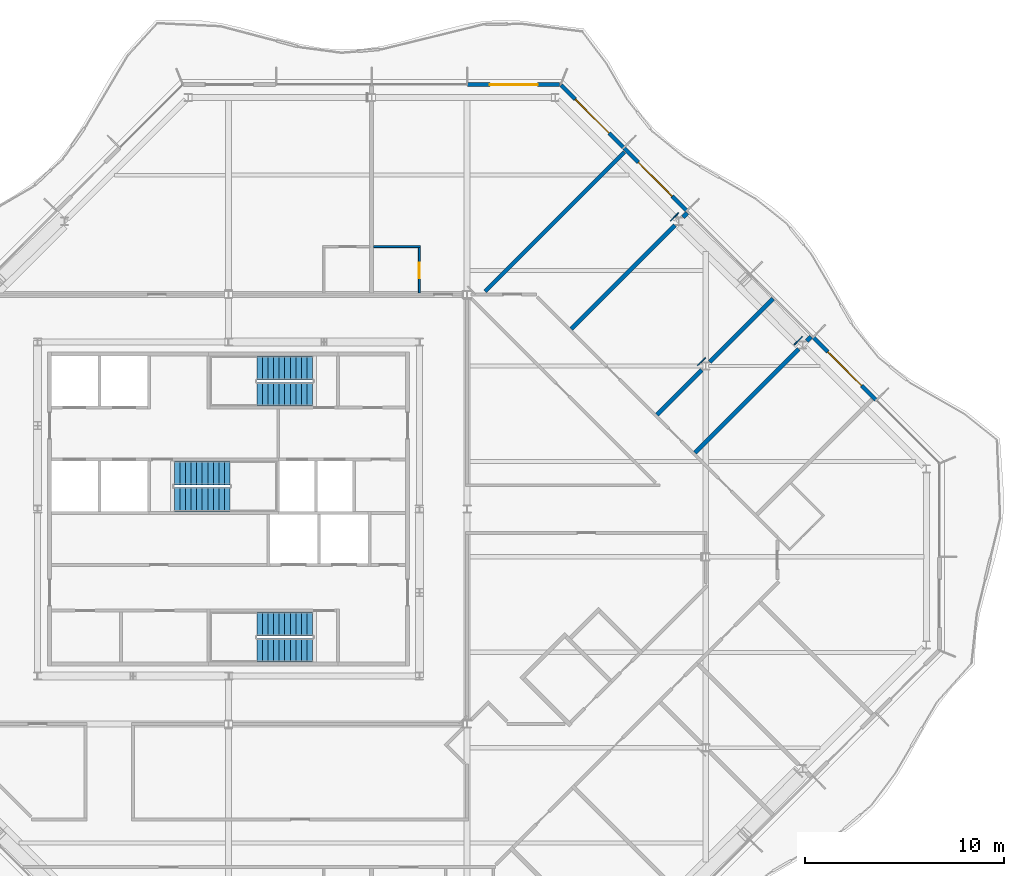
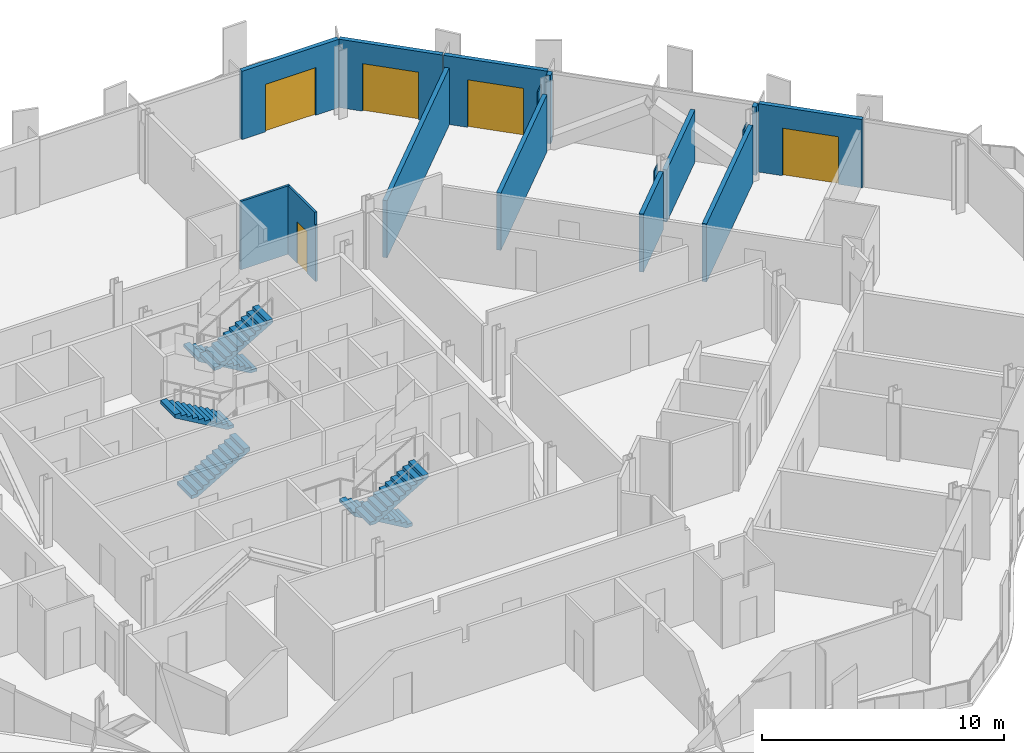
# One storey, part 12 of 17: 16 walls, 6 stair flights, 5 doors, 5 openings, 3 elements without a shape of their own.
"""IFC4 building model written with IfcOpenShell, lengths in metres."""

from ifc_helpers import new_model, si_unit, direction, frame, frame_2d, origin, place, context, subcontext, project, spatial, polyline, rectangle, outline, extrude, material, layer, layer_set, type_object, element, fill, aggregate, save


model = new_model("IFC4")

# Units and contexts
model_context = context("Model", 3, precision=1e-05, world=origin(), true_north=direction((0.0, 1.0)))
body_context = subcontext(model_context, "Body", "Model", "MODEL_VIEW")
ifc_project = project(units=[si_unit("LENGTHUNIT", "METRE"), si_unit("AREAUNIT", "SQUARE_METRE"), si_unit("VOLUMEUNIT", "CUBIC_METRE"), si_unit("PLANEANGLEUNIT", "RADIAN"), si_unit("MASSUNIT", "GRAM", prefix="KILO")], contexts=[model_context])

# Site, building, storey
site_placement = place(None, origin())
site = spatial("IfcSite", under=ifc_project, at=site_placement, CompositionType="ELEMENT")
building_placement = place(site_placement, origin())
building = spatial("IfcBuilding", under=site, at=building_placement, Name="Cairn Pilgrim Tower", CompositionType="ELEMENT")
storey_placement = place(building_placement, frame((0.0, 0.0, 246.60009765625)))
storey = spatial("IfcBuildingStorey", under=building, at=storey_placement, Name="L63", CompositionType="ELEMENT", Elevation=246.60009765625)

# Wall, opening, door
ifc_material_1 = material(Name="Bronze anodised aluminium insulated sandwich panel with mineral wool fill", Category="aluminium")
ifc_layer_1 = layer(ifc_material_1, 0.199951171875)
ifc_layer_set_1 = layer_set([ifc_layer_1], Name="BRONZE INFILL FRAME WALL 200")
wall_type_1 = type_object("IfcWallType", Name="BRONZE INFILL FRAME WALL 200", PredefinedType="NOTDEFINED", material=ifc_layer_set_1)
wall_1_placement = place(storey_placement, frame((39.753173828125, 7.893310546875, 0.0), z_axis=(0.0, 0.0, 1.0), x_axis=(-0.707106781187, 0.707106781187, 0.0)))
wall_1 = element("IfcWall", 1, at=wall_1_placement, inside=storey, type_object=wall_type_1, Name="Bronze infill frame wall IW-NE2", PredefinedType="NOTDEFINED", context=body_context, shape_type="SweptSolid", body=[
    extrude(rectangle(XDim=4.430908203125, YDim=0.199951171875, at=frame_2d((2.21533203125, 0.0))), origin(), (0.0, 0.0, 1.0), 3.449951171875),
])
opening_1_placement = place(wall_1_placement, frame((1.015380859375, 0.0, 0.0)))
opening_1 = element("IfcOpeningElement", 2, at=opening_1_placement, cuts=wall_1, Name="Opening 6307B", PredefinedType="OPENING", context=body_context, shape_type="SweptSolid", body=[
    extrude(rectangle(XDim=2.39990234375, YDim=2.39990234375, at=frame_2d((1.199951171875, 1.199951171875))), frame((0.0, 0.10986328125, 0.0), z_axis=(0.0, -1.0, 0.0), x_axis=(1.0, 0.0, 0.0)), (0.0, 0.0, 1.0), 0.219970703125),
])
ifc_material_2 = material(Name="Bronze anodised aluminium frame with tinted low-E glass", Category="aluminium")
door_type_1 = type_object("IfcDoorType", Name="BALCONY SLIDING DOOR 2400x2400", OperationType="DOUBLE_DOOR_SLIDING", PredefinedType="DOOR", material=ifc_material_2)
door_1_placement = place(opening_1_placement, origin())
door_1 = element("IfcDoor", 3, at=door_1_placement, inside=storey, type_object=door_type_1, Name="Balcony sliding door 6307B", OperationType="SINGLE_SWING_LEFT", OverallHeight=2.39990234375, OverallWidth=2.39990234375, PredefinedType="DOOR", context=body_context, shape_type="SweptSolid", body=[
    extrude(rectangle(XDim=2.39990234375, YDim=2.39990234375, at=frame_2d((1.199951171875, 1.199951171875))), frame((0.0, 0.02490234375, 0.0), z_axis=(0.0, -1.0, 0.0), x_axis=(1.0, 0.0, 0.0)), (0.0, 0.0, 1.0), 0.050048828125),
])
fill(opening_1, door_1)

wall_2_placement = place(storey_placement, frame((30.226318359375, 17.419921875, 0.0), z_axis=(0.0, 0.0, 1.0), x_axis=(-0.707079231393, 0.707134329907, 0.0)))
wall_2 = element("IfcWall", 4, at=wall_2_placement, inside=storey, type_object=wall_type_1, Name="Bronze infill frame wall IW-NE5", PredefinedType="NOTDEFINED", context=body_context, shape_type="SweptSolid", body=[
    extrude(rectangle(XDim=4.430908203125, YDim=0.199951171875, at=frame_2d((2.21533203125, 0.0))), origin(), (0.0, 0.0, 1.0), 3.449951171875),
])
opening_2_placement = place(wall_2_placement, frame((1.01513671875, 0.0, 0.0)))
opening_2 = element("IfcOpeningElement", 5, at=opening_2_placement, cuts=wall_2, Name="Opening 6310B", PredefinedType="OPENING", context=body_context, shape_type="SweptSolid", body=[
    extrude(rectangle(XDim=2.39990234375, YDim=2.39990234375, at=frame_2d((1.199951171875, 1.199951171875))), frame((0.0, 0.10986328125, 0.0), z_axis=(0.0, -1.0, 0.0), x_axis=(1.0, 0.0, 0.0)), (0.0, 0.0, 1.0), 0.219970703125),
])
door_2_placement = place(opening_2_placement, origin())
door_2 = element("IfcDoor", 6, at=door_2_placement, inside=storey, type_object=door_type_1, Name="Balcony sliding door 6310B", OperationType="SINGLE_SWING_LEFT", OverallHeight=2.39990234375, OverallWidth=2.39990234375, PredefinedType="DOOR", context=body_context, shape_type="SweptSolid", body=[
    extrude(rectangle(XDim=2.39990234375, YDim=2.39990234375, at=frame_2d((1.199951171875, 1.199951171875))), frame((0.0, 0.02490234375, 0.0), z_axis=(0.0, -1.0, 0.0), x_axis=(1.0, 0.0, 0.0)), (0.0, 0.0, 1.0), 0.050048828125),
])
fill(opening_2, door_2)

wall_3_placement = place(storey_placement, frame((27.05078125, 20.595703125, 0.0), z_axis=(0.0, 0.0, 1.0), x_axis=(-0.707106781187, 0.707106781187, 0.0)))
wall_3 = element("IfcWall", 7, at=wall_3_placement, inside=storey, type_object=wall_type_1, Name="Bronze infill frame wall IW-NE6", PredefinedType="NOTDEFINED", context=body_context, shape_type="SweptSolid", body=[
    extrude(rectangle(XDim=4.4208984375, YDim=0.199951171875, at=frame_2d((2.21044921875, 0.0))), origin(), (0.0, 0.0, 1.0), 3.449951171875),
])
opening_3_placement = place(wall_3_placement, frame((1.015625, 0.0, 0.0)))
opening_3 = element("IfcOpeningElement", 8, at=opening_3_placement, cuts=wall_3, Name="Opening 6311B2", PredefinedType="OPENING", context=body_context, shape_type="SweptSolid", body=[
    extrude(rectangle(XDim=2.39990234375, YDim=2.39990234375, at=frame_2d((1.199951171875, 1.199951171875))), frame((0.0, 0.10986328125, 0.0), z_axis=(0.0, -1.0, 0.0), x_axis=(1.0, 0.0, 0.0)), (0.0, 0.0, 1.0), 0.219970703125),
])
door_3_placement = place(opening_3_placement, origin())
door_3 = element("IfcDoor", 9, at=door_3_placement, inside=storey, type_object=door_type_1, Name="Balcony sliding door 6311B2", OperationType="SINGLE_SWING_LEFT", OverallHeight=2.39990234375, OverallWidth=2.39990234375, PredefinedType="DOOR", context=body_context, shape_type="SweptSolid", body=[
    extrude(rectangle(XDim=2.39990234375, YDim=2.39990234375, at=frame_2d((1.199951171875, 1.199951171875))), frame((0.0, 0.02490234375, 0.0), z_axis=(0.0, -1.0, 0.0), x_axis=(1.0, 0.0, 0.0)), (0.0, 0.0, 1.0), 0.050048828125),
])
fill(opening_3, door_3)

wall_4_placement = place(storey_placement, frame((23.8564453125, 23.75, 0.0), z_axis=(0.0, 0.0, 1.0), x_axis=(-1.0, 0.0, 0.0)))
wall_4 = element("IfcWall", 10, at=wall_4_placement, inside=storey, type_object=wall_type_1, Name="Bronze infill frame wall IW-N1", PredefinedType="NOTDEFINED", context=body_context, shape_type="SweptSolid", body=[
    extrude(rectangle(XDim=4.62646484375, YDim=0.199951171875, at=frame_2d((2.313232421875, 0.0))), origin(), (0.0, 0.0, 1.0), 3.449951171875),
])
opening_4_placement = place(wall_4_placement, frame((1.1083984375, 0.0, 0.0)))
opening_4 = element("IfcOpeningElement", 11, at=opening_4_placement, cuts=wall_4, Name="Opening 6311B", PredefinedType="OPENING", context=body_context, shape_type="SweptSolid", body=[
    extrude(rectangle(XDim=2.39990234375, YDim=2.39990234375, at=frame_2d((1.199951171875, 1.199951171875))), frame((0.0, 0.10986328125, 0.0), z_axis=(0.0, -1.0, 0.0), x_axis=(1.0, 0.0, 0.0)), (0.0, 0.0, 1.0), 0.219970703125),
])
door_4_placement = place(opening_4_placement, origin())
door_4 = element("IfcDoor", 12, at=door_4_placement, inside=storey, type_object=door_type_1, Name="Balcony sliding door 6311B", OperationType="SINGLE_SWING_LEFT", OverallHeight=2.39990234375, OverallWidth=2.39990234375, PredefinedType="DOOR", context=body_context, shape_type="SweptSolid", body=[
    extrude(rectangle(XDim=2.39990234375, YDim=2.39990234375, at=frame_2d((1.199951171875, 1.199951171875))), frame((0.0, 0.02490234375, 0.0), z_axis=(0.0, -1.0, 0.0), x_axis=(1.0, 0.0, 0.0)), (0.0, 0.0, 1.0), 0.050048828125),
])
fill(opening_4, door_4)

ifc_material_3 = material(Name="Gypsum partition")
ifc_layer_2 = layer(ifc_material_3, 0.10009765625)
ifc_layer_set_2 = layer_set([ifc_layer_2], Name="PARTITION 100 DRYWALL")
wall_type_2 = type_object("IfcWallType", Name="PARTITION 100 DRYWALL", PredefinedType="PARTITIONING", material=ifc_layer_set_2)
wall_5_placement = place(storey_placement, frame((16.800048828125, 13.27490234375, 0.0), z_axis=(0.0, 0.0, 1.0), x_axis=(0.0, 1.0, 0.0)))
wall_5 = element("IfcWall", 13, at=wall_5_placement, inside=storey, type_object=wall_type_2, Name="PARTITION W075", PredefinedType="PARTITIONING", context=body_context, shape_type="SweptSolid", body=[
    extrude(outline(polyline([(0.0, 0.0), (2.275146484375, 0.0), (2.27490234375, 3.449951171875), (0.074951171875, 3.449951171875), (0.072998046875, 2.829833984375), (0.0, 2.829833984375), (0.0, 0.0)])), frame((0.0, 0.050048828125, 0.0), z_axis=(0.0, -1.0, 0.0), x_axis=(1.0, 0.0, 0.0)), (0.0, 0.0, 1.0), 0.10009765625),
])
opening_5_placement = place(wall_5_placement, frame((0.72509765625, 0.0, 0.0)))
opening_5 = element("IfcOpeningElement", 14, at=opening_5_placement, cuts=wall_5, Name="Opening 6311A", PredefinedType="OPENING", context=body_context, shape_type="SweptSolid", body=[
    extrude(rectangle(XDim=0.800048828125, YDim=2.10009765625, at=frame_2d((0.39990234375, 1.050048828125))), frame((0.0, 0.06005859375, 0.0), z_axis=(0.0, -1.0, 0.0), x_axis=(1.0, 0.0, 0.0)), (0.0, 0.0, 1.0), 0.1201171875),
])
ifc_material_4 = material(Name="Timber door leaf", Category="wood")
door_type_2 = type_object("IfcDoorType", Name="WC DOOR 800x2100", OperationType="NOTDEFINED", PredefinedType="DOOR", material=ifc_material_4)
door_5_placement = place(opening_5_placement, frame((0.800048828125, 0.0, 0.0), z_axis=(0.0, 0.0, 1.0), x_axis=(-1.0, 0.0, 0.0)))
door_5 = element("IfcDoor", 15, at=door_5_placement, inside=storey, type_object=door_type_2, Name="DOOR 6311A", OperationType="SINGLE_SWING_LEFT", OverallHeight=2.10009765625, OverallWidth=0.800048828125, PredefinedType="DOOR", context=body_context, shape_type="SweptSolid", body=[
    extrude(rectangle(XDim=0.800048828125, YDim=2.10009765625, at=frame_2d((0.39990234375, 1.050048828125))), frame((0.0, 0.02490234375, 0.0), z_axis=(0.0, -1.0, 0.0), x_axis=(1.0, 0.0, 0.0)), (0.0, 0.0, 1.0), 0.050048828125),
])
fill(opening_5, door_5)

# Walls
wall_6_placement = place(storey_placement, frame((14.5, 15.60009765625, 0.0), z_axis=(0.0, 0.0, 1.0), x_axis=(1.0, 0.0, 0.0)))
element("IfcWall", 16, at=wall_6_placement, inside=storey, type_object=wall_type_2, Name="PARTITION W078", PredefinedType="PARTITIONING", context=body_context, shape_type="SweptSolid", body=[
    extrude(rectangle(XDim=2.35009765625, YDim=0.10009765625, at=frame_2d((1.175048828125, 0.0))), origin(), (0.0, 0.0, 1.0), 3.449951171875),
])
ifc_layer_3 = layer(ifc_material_3, 0.050048828125)
ifc_layer_set_3 = layer_set([ifc_layer_3], Name="PARTITION 50 DRYWALL EI 60")
wall_type_3 = type_object("IfcWallType", Name="PARTITION 50 DRYWALL EI 60", PredefinedType="PARTITIONING", material=ifc_layer_set_3)
wall_7_placement = place(storey_placement, frame((35.652587890625, 10.669189453125, 0.0), z_axis=(0.0, 0.0, 1.0), x_axis=(0.707106781187, 0.707106781187, 0.0)))
element("IfcWall", 17, at=wall_7_placement, inside=storey, type_object=wall_type_3, Name="COLUMN CASING WC17", PredefinedType="PARTITIONING", context=body_context, shape_type="SweptSolid", body=[
    extrude(rectangle(XDim=0.573486328125, YDim=0.050048828125, at=frame_2d((0.28662109375, 0.0))), origin(), (0.0, 0.0, 1.0), 2.6298828125),
])
wall_8_placement = place(storey_placement, frame((30.786376953125, 9.61767578125, 0.0), z_axis=(0.0, 0.0, 1.0), x_axis=(0.707106781187, 0.707106781187, 0.0)))
element("IfcWall", 18, at=wall_8_placement, inside=storey, type_object=wall_type_3, Name="COLUMN CASING WC18", PredefinedType="PARTITIONING", context=body_context, shape_type="SweptSolid", body=[
    extrude(rectangle(XDim=0.56005859375, YDim=0.050048828125, at=frame_2d((0.280029296875, 0.0))), origin(), (0.0, 0.0, 1.0), 2.8798828125),
])
wall_9_placement = place(storey_placement, frame((29.42822265625, 16.893310546875, 0.0), z_axis=(0.0, 0.0, 1.0), x_axis=(0.707106781187, 0.707106781187, 0.0)))
element("IfcWall", 19, at=wall_9_placement, inside=storey, type_object=wall_type_3, Name="COLUMN CASING WC19", PredefinedType="PARTITIONING", context=body_context, shape_type="SweptSolid", body=[
    extrude(rectangle(XDim=0.573486328125, YDim=0.050048828125, at=frame_2d((0.28662109375, 0.0))), origin(), (0.0, 0.0, 1.0), 2.929931640625),
])
ifc_layer_4 = layer(ifc_material_3, 0.199951171875)
ifc_layer_set_4 = layer_set([ifc_layer_4], Name="SHAFT WALL 200 GYPSUM EI 60")
wall_type_4 = type_object("IfcWallType", Name="SHAFT WALL 200 GYPSUM EI 60", PredefinedType="PARTITIONING", material=ifc_layer_set_4)
wall_10_placement = place(storey_placement, frame((30.662109375, 5.238037109375, 0.0), z_axis=(0.0, 0.0, 1.0), x_axis=(0.707106781187, 0.707106781187, 0.0)))
element("IfcWall", 20, at=wall_10_placement, inside=storey, type_object=wall_type_4, Name="PARTITION W065", PredefinedType="PARTITIONING", context=body_context, shape_type="SweptSolid", body=[
    extrude(rectangle(XDim=7.369140625, YDim=0.199951171875, at=frame_2d((3.6845703125, 0.0))), origin(), (0.0, 0.0, 1.0), 2.929931640625),
])
wall_11_placement = place(storey_placement, frame((28.75, 7.14990234375, 0.0), z_axis=(0.0, 0.0, 1.0), x_axis=(0.7070684525, 0.707145107796, 0.0)))
element("IfcWall", 21, at=wall_11_placement, inside=storey, type_object=wall_type_4, Name="PARTITION W066", PredefinedType="PARTITIONING", context=body_context, shape_type="SweptSolid", body=[
    extrude(rectangle(XDim=3.184814453125, YDim=0.199951171875, at=frame_2d((1.59228515625, 0.0))), origin(), (0.0, 0.0, 1.0), 2.929931640625),
])
wall_12_placement = place(storey_placement, frame((31.39794921875, 9.798095703125, 0.0), z_axis=(0.0, 0.0, 1.0), x_axis=(0.707133900936, 0.707079660397, 0.0)))
element("IfcWall", 22, at=wall_12_placement, inside=storey, type_object=wall_type_4, Name="PARTITION W067", PredefinedType="PARTITIONING", context=body_context, shape_type="SweptSolid", body=[
    extrude(rectangle(XDim=4.5009765625, YDim=0.199951171875, at=frame_2d((2.25048828125, 0.0))), origin(), (0.0, 0.0, 1.0), 2.6298828125),
])
wall_13_placement = place(storey_placement, frame((36.2783203125, 10.8544921875, 0.0), z_axis=(0.0, 0.0, 1.0), x_axis=(0.707509117806, 0.706704215511, 0.0)))
element("IfcWall", 23, at=wall_13_placement, inside=storey, type_object=wall_type_4, Name="PARTITION W068", PredefinedType="PARTITIONING", context=body_context, shape_type="SweptSolid", body=[
    extrude(rectangle(XDim=0.30322265625, YDim=0.199951171875, at=frame_2d((0.151611328125, 0.0))), origin(), (0.0, 0.0, 1.0), 3.449951171875),
])
wall_14_placement = place(storey_placement, frame((24.43798828125, 11.4619140625, 0.0), z_axis=(0.0, 0.0, 1.0), x_axis=(0.707090216072, 0.707123345913, 0.0)))
element("IfcWall", 24, at=wall_14_placement, inside=storey, type_object=wall_type_4, Name="PARTITION W069", PredefinedType="PARTITIONING", context=body_context, shape_type="SweptSolid", body=[
    extrude(rectangle(XDim=7.369140625, YDim=0.199951171875, at=frame_2d((3.6845703125, 0.0))), origin(), (0.0, 0.0, 1.0), 2.8798828125),
])
wall_15_placement = place(storey_placement, frame((20.09765625, 13.345703125, 0.0), z_axis=(0.0, 0.0, 1.0), x_axis=(0.707119095079, 0.70709446708, 0.0)))
element("IfcWall", 25, at=wall_15_placement, inside=storey, type_object=wall_type_4, Name="PARTITION W076", PredefinedType="PARTITIONING", context=body_context, shape_type="SweptSolid", body=[
    extrude(rectangle(XDim=9.9130859375, YDim=0.199951171875, at=frame_2d((4.95654296875, 0.0))), origin(), (0.0, 0.0, 1.0), 2.8798828125),
])
wall_16_placement = place(storey_placement, frame((30.054443359375, 17.078369140625, 0.0), z_axis=(0.0, 0.0, 1.0), x_axis=(0.707106781187, 0.707106781187, 0.0)))
element("IfcWall", 26, at=wall_16_placement, inside=storey, type_object=wall_type_4, Name="PARTITION W079", PredefinedType="PARTITIONING", context=body_context, shape_type="SweptSolid", body=[
    extrude(rectangle(XDim=0.30322265625, YDim=0.199951171875, at=frame_2d((0.151611328125, 0.0))), origin(), (0.0, 0.0, 1.0), 3.449951171875),
])

# Stair, stair flights
ifc_material_5 = material(Name="Concrete C32/40", Category="concrete")
stair_type = type_object("IfcStairType", Name="EXIT STAIR 1200", PredefinedType="HALF_TURN_STAIR", material=ifc_material_5)
stair_1_placement = place(storey_placement, origin())
stair_1 = element("IfcStair", 27, at=stair_1_placement, inside=storey, type_object=stair_type, Name="L63 Exit Stair A", PredefinedType="HALF_TURN_STAIR")
stair_flight_type = type_object("IfcStairFlightType", Name="STAIR FLIGHT 1200", PredefinedType="STRAIGHT", material=ifc_material_5)
stair_flight_1_placement = place(storey_placement, frame((11.425048828125, -3.375, 0.0), z_axis=(0.0, 0.0, 1.0), x_axis=(-1.0, 0.0, 0.0)))
stair_flight_1 = element("IfcStairFlight", 28, at=stair_flight_1_placement, type_object=stair_flight_type, Name="ST-A flight 1", NumberOfRisers=11, NumberOfTreads=10, PredefinedType="STRAIGHT", RiserHeight=0.163636364, TreadLength=0.28, context=body_context, shape_type="SweptSolid", body=[
    extrude(outline(polyline([(0.0, 0.0), (0.0, 0.16357421875), (0.280029296875, 0.16357421875), (0.280029296875, 0.327392578125), (0.56005859375, 0.327392578125), (0.56005859375, 0.490966796875), (0.840087890625, 0.490966796875), (0.840087890625, 0.654541015625), (1.1201171875, 0.654541015625), (1.1201171875, 0.818115234375), (1.39990234375, 0.818115234375), (1.39990234375, 0.98193359375), (1.679931640625, 0.98193359375), (1.679931640625, 1.1455078125), (1.9599609375, 1.1455078125), (1.9599609375, 1.30908203125), (2.239990234375, 1.30908203125), (2.239990234375, 1.47265625), (2.52001953125, 1.47265625), (2.52001953125, 1.636474609375), (2.800048828125, 1.636474609375), (2.800048828125, 1.800048828125), (2.800048828125, 1.462646484375), (0.297119140625, 0.0), (0.0, 0.0)])), frame((0.0, 0.60009765625, 0.0), z_axis=(0.0, -1.0, 0.0), x_axis=(1.0, 0.0, 0.0)), (0.0, 0.0, 1.0), 1.199951171875),
])
stair_flight_2_placement = place(storey_placement, frame((8.625, -4.699951171875, 1.7998046875), z_axis=(0.0, 0.0, 1.0), x_axis=(1.0, 0.0, 0.0)))
stair_flight_2 = element("IfcStairFlight", 29, at=stair_flight_2_placement, type_object=stair_flight_type, Name="ST-A flight 2", NumberOfRisers=11, NumberOfTreads=10, PredefinedType="STRAIGHT", RiserHeight=0.163636364, TreadLength=0.28, context=body_context, shape_type="SweptSolid", body=[
    extrude(outline(polyline([(0.0, 0.0), (0.0, 0.16357421875), (0.280029296875, 0.16357421875), (0.280029296875, 0.327392578125), (0.56005859375, 0.327392578125), (0.56005859375, 0.490966796875), (0.840087890625, 0.490966796875), (0.840087890625, 0.654541015625), (1.1201171875, 0.654541015625), (1.1201171875, 0.818115234375), (1.39990234375, 0.818115234375), (1.39990234375, 0.98193359375), (1.679931640625, 0.98193359375), (1.679931640625, 1.1455078125), (1.9599609375, 1.1455078125), (1.9599609375, 1.30908203125), (2.239990234375, 1.30908203125), (2.239990234375, 1.47265625), (2.52001953125, 1.47265625), (2.52001953125, 1.636474609375), (2.800048828125, 1.636474609375), (2.800048828125, 1.800048828125), (2.800048828125, 1.462646484375), (0.297119140625, 0.0), (0.0, 0.0)])), frame((0.0, 0.60009765625, 0.0), z_axis=(0.0, -1.0, 0.0), x_axis=(1.0, 0.0, 0.0)), (0.0, 0.0, 1.0), 1.199951171875),
])
aggregate(stair_1, [stair_flight_1, stair_flight_2])

stair_2_placement = place(storey_placement, origin())
stair_2 = element("IfcStair", 30, at=stair_2_placement, inside=storey, type_object=stair_type, Name="L63 Exit Stair B", PredefinedType="HALF_TURN_STAIR")
stair_flight_3_placement = place(storey_placement, frame((4.47509765625, 2.875, 0.0), z_axis=(0.0, 0.0, 1.0), x_axis=(1.0, 0.0, 0.0)))
stair_flight_3 = element("IfcStairFlight", 31, at=stair_flight_3_placement, type_object=stair_flight_type, Name="ST-B flight 1", NumberOfRisers=11, NumberOfTreads=10, PredefinedType="STRAIGHT", RiserHeight=0.163636364, TreadLength=0.28, context=body_context, shape_type="SweptSolid", body=[
    extrude(outline(polyline([(0.0, 0.0), (0.0, 0.16357421875), (0.280029296875, 0.16357421875), (0.280029296875, 0.327392578125), (0.56005859375, 0.327392578125), (0.56005859375, 0.490966796875), (0.840087890625, 0.490966796875), (0.840087890625, 0.654541015625), (1.1201171875, 0.654541015625), (1.1201171875, 0.818115234375), (1.39990234375, 0.818115234375), (1.39990234375, 0.98193359375), (1.679931640625, 0.98193359375), (1.679931640625, 1.1455078125), (1.9599609375, 1.1455078125), (1.9599609375, 1.30908203125), (2.239990234375, 1.30908203125), (2.239990234375, 1.47265625), (2.52001953125, 1.47265625), (2.52001953125, 1.636474609375), (2.800048828125, 1.636474609375), (2.800048828125, 1.800048828125), (2.800048828125, 1.462646484375), (0.297119140625, 0.0), (0.0, 0.0)])), frame((0.0, 0.60009765625, 0.0), z_axis=(0.0, -1.0, 0.0), x_axis=(1.0, 0.0, 0.0)), (0.0, 0.0, 1.0), 1.199951171875),
])
stair_flight_4_placement = place(storey_placement, frame((7.27490234375, 4.22509765625, 1.7998046875), z_axis=(0.0, 0.0, 1.0), x_axis=(-1.0, 0.0, 0.0)))
stair_flight_4 = element("IfcStairFlight", 32, at=stair_flight_4_placement, type_object=stair_flight_type, Name="ST-B flight 2", NumberOfRisers=11, NumberOfTreads=10, PredefinedType="STRAIGHT", RiserHeight=0.163636364, TreadLength=0.28, context=body_context, shape_type="SweptSolid", body=[
    extrude(outline(polyline([(0.0, 0.0), (0.0, 0.16357421875), (0.280029296875, 0.16357421875), (0.280029296875, 0.327392578125), (0.56005859375, 0.327392578125), (0.56005859375, 0.490966796875), (0.840087890625, 0.490966796875), (0.840087890625, 0.654541015625), (1.1201171875, 0.654541015625), (1.1201171875, 0.818115234375), (1.39990234375, 0.818115234375), (1.39990234375, 0.98193359375), (1.679931640625, 0.98193359375), (1.679931640625, 1.1455078125), (1.9599609375, 1.1455078125), (1.9599609375, 1.30908203125), (2.239990234375, 1.30908203125), (2.239990234375, 1.47265625), (2.52001953125, 1.47265625), (2.52001953125, 1.636474609375), (2.800048828125, 1.636474609375), (2.800048828125, 1.800048828125), (2.800048828125, 1.462646484375), (0.297119140625, 0.0), (0.0, 0.0)])), frame((0.0, 0.60009765625, 0.0), z_axis=(0.0, -1.0, 0.0), x_axis=(1.0, 0.0, 0.0)), (0.0, 0.0, 1.0), 1.199951171875),
])
aggregate(stair_2, [stair_flight_3, stair_flight_4])

stair_3_placement = place(storey_placement, origin())
stair_3 = element("IfcStair", 33, at=stair_3_placement, inside=storey, type_object=stair_type, Name="L63 Exit Stair C", PredefinedType="HALF_TURN_STAIR")
stair_flight_5_placement = place(storey_placement, frame((11.425048828125, 9.5, 0.0), z_axis=(0.0, 0.0, 1.0), x_axis=(-1.0, 0.0, 0.0)))
stair_flight_5 = element("IfcStairFlight", 34, at=stair_flight_5_placement, type_object=stair_flight_type, Name="ST-C flight 1", NumberOfRisers=11, NumberOfTreads=10, PredefinedType="STRAIGHT", RiserHeight=0.163636364, TreadLength=0.28, context=body_context, shape_type="SweptSolid", body=[
    extrude(outline(polyline([(0.0, 0.0), (0.0, 0.16357421875), (0.280029296875, 0.16357421875), (0.280029296875, 0.327392578125), (0.56005859375, 0.327392578125), (0.56005859375, 0.490966796875), (0.840087890625, 0.490966796875), (0.840087890625, 0.654541015625), (1.1201171875, 0.654541015625), (1.1201171875, 0.818115234375), (1.39990234375, 0.818115234375), (1.39990234375, 0.98193359375), (1.679931640625, 0.98193359375), (1.679931640625, 1.1455078125), (1.9599609375, 1.1455078125), (1.9599609375, 1.30908203125), (2.239990234375, 1.30908203125), (2.239990234375, 1.47265625), (2.52001953125, 1.47265625), (2.52001953125, 1.636474609375), (2.800048828125, 1.636474609375), (2.800048828125, 1.800048828125), (2.800048828125, 1.462646484375), (0.297119140625, 0.0), (0.0, 0.0)])), frame((0.0, 0.60009765625, 0.0), z_axis=(0.0, -1.0, 0.0), x_axis=(1.0, 0.0, 0.0)), (0.0, 0.0, 1.0), 1.199951171875),
])
stair_flight_6_placement = place(storey_placement, frame((8.625, 8.175048828125, 1.7998046875), z_axis=(0.0, 0.0, 1.0), x_axis=(1.0, 0.0, 0.0)))
stair_flight_6 = element("IfcStairFlight", 35, at=stair_flight_6_placement, type_object=stair_flight_type, Name="ST-C flight 2", NumberOfRisers=11, NumberOfTreads=10, PredefinedType="STRAIGHT", RiserHeight=0.163636364, TreadLength=0.28, context=body_context, shape_type="SweptSolid", body=[
    extrude(outline(polyline([(0.0, 0.0), (0.0, 0.16357421875), (0.280029296875, 0.16357421875), (0.280029296875, 0.327392578125), (0.56005859375, 0.327392578125), (0.56005859375, 0.490966796875), (0.840087890625, 0.490966796875), (0.840087890625, 0.654541015625), (1.1201171875, 0.654541015625), (1.1201171875, 0.818115234375), (1.39990234375, 0.818115234375), (1.39990234375, 0.98193359375), (1.679931640625, 0.98193359375), (1.679931640625, 1.1455078125), (1.9599609375, 1.1455078125), (1.9599609375, 1.30908203125), (2.239990234375, 1.30908203125), (2.239990234375, 1.47265625), (2.52001953125, 1.47265625), (2.52001953125, 1.636474609375), (2.800048828125, 1.636474609375), (2.800048828125, 1.800048828125), (2.800048828125, 1.462646484375), (0.297119140625, 0.0), (0.0, 0.0)])), frame((0.0, 0.60009765625, 0.0), z_axis=(0.0, -1.0, 0.0), x_axis=(1.0, 0.0, 0.0)), (0.0, 0.0, 1.0), 1.199951171875),
])
aggregate(stair_3, [stair_flight_5, stair_flight_6])

save(model, "model.ifc")
